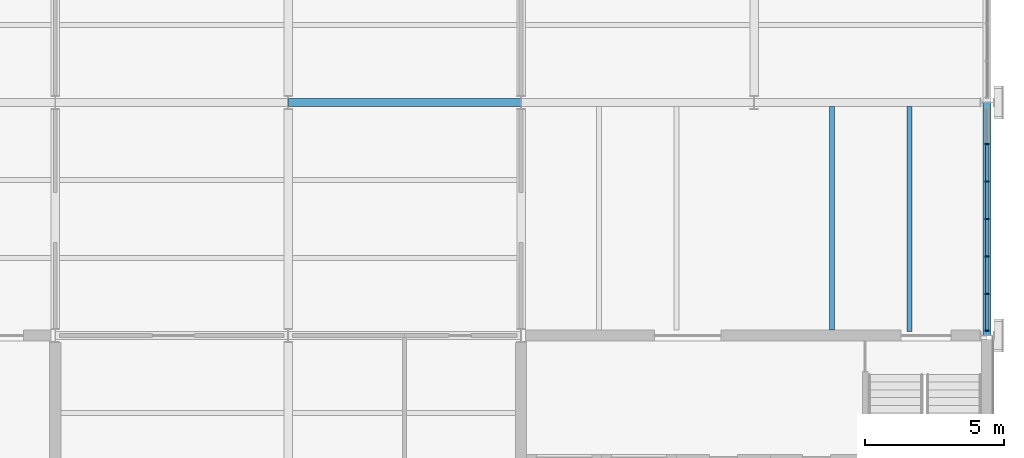
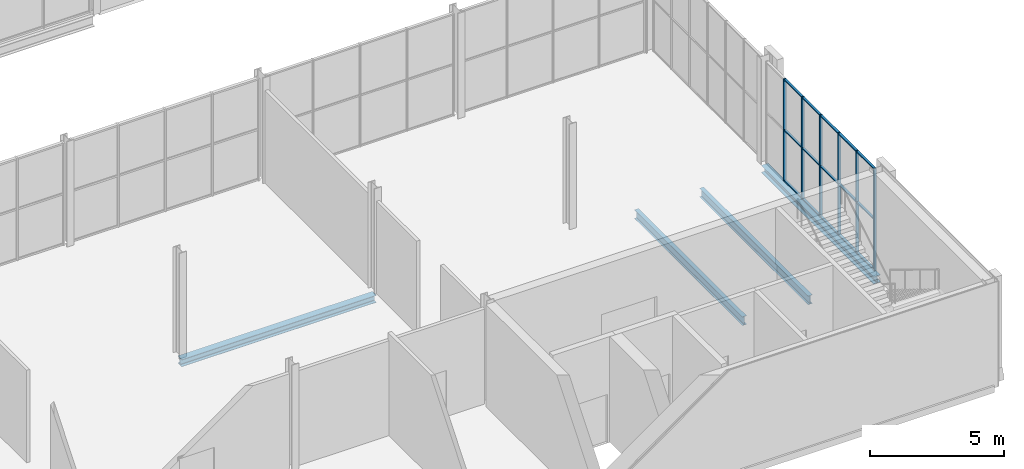
# One storey, part 22 of 61: 21 members, 4 beams, 1 element without a shape of its own.
"""IFC4 building model written with IfcOpenShell, lengths in metres."""

from ifc_helpers import new_model, si_unit, direction, frame, origin, origin_2d, place, context, subcontext, project, spatial, rectangle, i_section, extrude, material, layer, layer_set, material_profile, profile_set, type_object, element, aggregate, save


model = new_model("IFC4")

# Units and contexts
model_context = context("Model", 3, precision=1e-05, world=origin(), true_north=direction((0.0, 1.0)))
body_context = subcontext(model_context, "Body", "Model", "MODEL_VIEW")
ifc_project = project(units=[si_unit("LENGTHUNIT", "METRE"), si_unit("AREAUNIT", "SQUARE_METRE"), si_unit("VOLUMEUNIT", "CUBIC_METRE"), si_unit("PLANEANGLEUNIT", "RADIAN"), si_unit("MASSUNIT", "GRAM", prefix="KILO")], contexts=[model_context])

# Site, building, storey
site_placement = place(None, origin())
site = spatial("IfcSite", under=ifc_project, at=site_placement, CompositionType="ELEMENT")
building_placement = place(site_placement, origin())
building = spatial("IfcBuilding", under=site, at=building_placement, Name="Galleria Vessillo Department Store", CompositionType="ELEMENT")
storey_placement = place(building_placement, frame((0.0, 0.0, 11.39990234375)))
storey = spatial("IfcBuildingStorey", under=building, at=storey_placement, Name="L02", CompositionType="ELEMENT", Elevation=11.39990234375)

# Curtain wall, members
ifc_material_1 = material(Name="Aluminium and glass curtain wall", Category="aluminium")
ifc_layer = layer(ifc_material_1, 0.1201171875)
ifc_layer_set = layer_set([ifc_layer], Name="Aluminium and glass curtain wall")
curtain_wall_type = type_object("IfcCurtainWallType", Name="Shopfront curtain wall CW3 1400 module", PredefinedType="NOTDEFINED", material=ifc_layer_set)
curtain_wall_placement = place(storey_placement, origin())
curtain_wall = element("IfcCurtainWall", 1, at=curtain_wall_placement, inside=storey, type_object=curtain_wall_type, Name="Shopfront curtain wall CW3 1400 module SE-S-L02-01", PredefinedType="NOTDEFINED")
ifc_material_2 = material(Name="Aluminium alloy 6063 T6", Category="aluminium")
ifc_material_profile_1 = material_profile(ifc_material_2, rectangle(XDim=0.1201171875, YDim=0.050048828125, at=origin_2d()), Name="AL 50x120")
ifc_profile_set_1 = profile_set([ifc_material_profile_1], Name="Aluminium alloy 6063 T6")
member_type_1 = type_object("IfcMemberType", Name="Aluminium mullion 50 x 120", PredefinedType="MULLION", material=ifc_profile_set_1)
member_1_placement = place(storey_placement, frame((117.60009765625, 8.57470703125, 0.0), z_axis=(0.0, 0.0, 1.0), x_axis=(-1.0, 0.0, 0.0)))
member_1 = element("IfcMember", 2, at=member_1_placement, type_object=member_type_1, Name="CW3 mullion 1", PredefinedType="MULLION", context=body_context, shape_type="SweptSolid", body=[
    extrude(rectangle(XDim=0.1201171875, YDim=0.050048828125, at=origin_2d()), origin(), (0.0, 0.0, 1.0), 4.650146484375),
])
member_2_placement = place(storey_placement, frame((117.60009765625, 9.89990234375, 0.0), z_axis=(0.0, 0.0, 1.0), x_axis=(-1.0, 0.0, 0.0)))
member_2 = element("IfcMember", 3, at=member_2_placement, type_object=member_type_1, Name="CW3 mullion 2", PredefinedType="MULLION", context=body_context, shape_type="SweptSolid", body=[
    extrude(rectangle(XDim=0.1201171875, YDim=0.050048828125, at=origin_2d()), origin(), (0.0, 0.0, 1.0), 4.650146484375),
])
member_3_placement = place(storey_placement, frame((117.60009765625, 11.25, 0.0), z_axis=(0.0, 0.0, 1.0), x_axis=(-1.0, 0.0, 0.0)))
member_3 = element("IfcMember", 4, at=member_3_placement, type_object=member_type_1, Name="CW3 mullion 3", PredefinedType="MULLION", context=body_context, shape_type="SweptSolid", body=[
    extrude(rectangle(XDim=0.1201171875, YDim=0.050048828125, at=origin_2d()), origin(), (0.0, 0.0, 1.0), 4.650146484375),
])
member_4_placement = place(storey_placement, frame((117.60009765625, 12.60009765625, 0.0), z_axis=(0.0, 0.0, 1.0), x_axis=(-1.0, 0.0, 0.0)))
member_4 = element("IfcMember", 5, at=member_4_placement, type_object=member_type_1, Name="CW3 mullion 4", PredefinedType="MULLION", context=body_context, shape_type="SweptSolid", body=[
    extrude(rectangle(XDim=0.1201171875, YDim=0.050048828125, at=origin_2d()), origin(), (0.0, 0.0, 1.0), 4.650146484375),
])
member_5_placement = place(storey_placement, frame((117.60009765625, 13.949951171875, 0.0), z_axis=(0.0, 0.0, 1.0), x_axis=(-1.0, 0.0, 0.0)))
member_5 = element("IfcMember", 6, at=member_5_placement, type_object=member_type_1, Name="CW3 mullion 5", PredefinedType="MULLION", context=body_context, shape_type="SweptSolid", body=[
    extrude(rectangle(XDim=0.1201171875, YDim=0.050048828125, at=origin_2d()), origin(), (0.0, 0.0, 1.0), 4.650146484375),
])
member_6_placement = place(storey_placement, frame((117.60009765625, 15.300048828125, 0.0), z_axis=(0.0, 0.0, 1.0), x_axis=(-1.0, 0.0, 0.0)))
member_6 = element("IfcMember", 7, at=member_6_placement, type_object=member_type_1, Name="CW3 mullion 6", PredefinedType="MULLION", context=body_context, shape_type="SweptSolid", body=[
    extrude(rectangle(XDim=0.1201171875, YDim=0.050048828125, at=origin_2d()), origin(), (0.0, 0.0, 1.0), 4.650146484375),
])
ifc_material_3 = material(Name="Aluminium alloy 6063 T6", Category="aluminium")
ifc_material_profile_2 = material_profile(ifc_material_3, rectangle(XDim=0.10009765625, YDim=0.050048828125, at=origin_2d()), Name="AL 50x100")
ifc_profile_set_2 = profile_set([ifc_material_profile_2], Name="Aluminium alloy 6063 T6")
member_type_2 = type_object("IfcMemberType", Name="Aluminium transom 50 x 100", PredefinedType="USERDEFINED", material=ifc_profile_set_2)
member_7_placement = place(storey_placement, frame((117.60009765625, 8.599853515625, 0.02490234375), z_axis=(0.0, 1.0, 0.0), x_axis=(-1.0, 0.0, 0.0)))
member_7 = element("IfcMember", 8, at=member_7_placement, type_object=member_type_2, Name="CW3 transom 1.1", ObjectType="TRANSOM", PredefinedType="USERDEFINED", context=body_context, shape_type="SweptSolid", body=[
    extrude(rectangle(XDim=0.10009765625, YDim=0.050048828125, at=origin_2d()), origin(), (0.0, 0.0, 1.0), 1.27490234375),
])
member_8_placement = place(storey_placement, frame((117.60009765625, 8.599853515625, 2.3251953125), z_axis=(0.0, 1.0, 0.0), x_axis=(-1.0, 0.0, 0.0)))
member_8 = element("IfcMember", 9, at=member_8_placement, type_object=member_type_2, Name="CW3 transom 1.2", ObjectType="TRANSOM", PredefinedType="USERDEFINED", context=body_context, shape_type="SweptSolid", body=[
    extrude(rectangle(XDim=0.10009765625, YDim=0.050048828125, at=origin_2d()), origin(), (0.0, 0.0, 1.0), 1.27490234375),
])
member_9_placement = place(storey_placement, frame((117.60009765625, 8.599853515625, 4.625244140625), z_axis=(0.0, 1.0, 0.0), x_axis=(-1.0, 0.0, 0.0)))
member_9 = element("IfcMember", 10, at=member_9_placement, type_object=member_type_2, Name="CW3 transom 1.3", ObjectType="TRANSOM", PredefinedType="USERDEFINED", context=body_context, shape_type="SweptSolid", body=[
    extrude(rectangle(XDim=0.10009765625, YDim=0.050048828125, at=origin_2d()), origin(), (0.0, 0.0, 1.0), 1.27490234375),
])
member_10_placement = place(storey_placement, frame((117.60009765625, 9.9248046875, 0.02490234375), z_axis=(0.0, 1.0, 0.0), x_axis=(-1.0, 0.0, 0.0)))
member_10 = element("IfcMember", 11, at=member_10_placement, type_object=member_type_2, Name="CW3 transom 2.1", ObjectType="TRANSOM", PredefinedType="USERDEFINED", context=body_context, shape_type="SweptSolid", body=[
    extrude(rectangle(XDim=0.10009765625, YDim=0.050048828125, at=origin_2d()), origin(), (0.0, 0.0, 1.0), 1.300048828125),
])
member_11_placement = place(storey_placement, frame((117.60009765625, 9.9248046875, 2.3251953125), z_axis=(0.0, 1.0, 0.0), x_axis=(-1.0, 0.0, 0.0)))
member_11 = element("IfcMember", 12, at=member_11_placement, type_object=member_type_2, Name="CW3 transom 2.2", ObjectType="TRANSOM", PredefinedType="USERDEFINED", context=body_context, shape_type="SweptSolid", body=[
    extrude(rectangle(XDim=0.10009765625, YDim=0.050048828125, at=origin_2d()), origin(), (0.0, 0.0, 1.0), 1.300048828125),
])
member_12_placement = place(storey_placement, frame((117.60009765625, 9.9248046875, 4.625244140625), z_axis=(0.0, 1.0, 0.0), x_axis=(-1.0, 0.0, 0.0)))
member_12 = element("IfcMember", 13, at=member_12_placement, type_object=member_type_2, Name="CW3 transom 2.3", ObjectType="TRANSOM", PredefinedType="USERDEFINED", context=body_context, shape_type="SweptSolid", body=[
    extrude(rectangle(XDim=0.10009765625, YDim=0.050048828125, at=origin_2d()), origin(), (0.0, 0.0, 1.0), 1.300048828125),
])
member_13_placement = place(storey_placement, frame((117.60009765625, 11.27490234375, 0.02490234375), z_axis=(0.0, 1.0, 0.0), x_axis=(-1.0, 0.0, 0.0)))
member_13 = element("IfcMember", 14, at=member_13_placement, type_object=member_type_2, Name="CW3 transom 3.1", ObjectType="TRANSOM", PredefinedType="USERDEFINED", context=body_context, shape_type="SweptSolid", body=[
    extrude(rectangle(XDim=0.10009765625, YDim=0.050048828125, at=origin_2d()), origin(), (0.0, 0.0, 1.0), 1.300048828125),
])
member_14_placement = place(storey_placement, frame((117.60009765625, 11.27490234375, 2.3251953125), z_axis=(0.0, 1.0, 0.0), x_axis=(-1.0, 0.0, 0.0)))
member_14 = element("IfcMember", 15, at=member_14_placement, type_object=member_type_2, Name="CW3 transom 3.2", ObjectType="TRANSOM", PredefinedType="USERDEFINED", context=body_context, shape_type="SweptSolid", body=[
    extrude(rectangle(XDim=0.10009765625, YDim=0.050048828125, at=origin_2d()), origin(), (0.0, 0.0, 1.0), 1.300048828125),
])
member_15_placement = place(storey_placement, frame((117.60009765625, 11.27490234375, 4.625244140625), z_axis=(0.0, 1.0, 0.0), x_axis=(-1.0, 0.0, 0.0)))
member_15 = element("IfcMember", 16, at=member_15_placement, type_object=member_type_2, Name="CW3 transom 3.3", ObjectType="TRANSOM", PredefinedType="USERDEFINED", context=body_context, shape_type="SweptSolid", body=[
    extrude(rectangle(XDim=0.10009765625, YDim=0.050048828125, at=origin_2d()), origin(), (0.0, 0.0, 1.0), 1.300048828125),
])
member_16_placement = place(storey_placement, frame((117.60009765625, 12.625, 0.02490234375), z_axis=(0.0, 1.0, 0.0), x_axis=(-1.0, 0.0, 0.0)))
member_16 = element("IfcMember", 17, at=member_16_placement, type_object=member_type_2, Name="CW3 transom 4.1", ObjectType="TRANSOM", PredefinedType="USERDEFINED", context=body_context, shape_type="SweptSolid", body=[
    extrude(rectangle(XDim=0.10009765625, YDim=0.050048828125, at=origin_2d()), origin(), (0.0, 0.0, 1.0), 1.300048828125),
])
member_17_placement = place(storey_placement, frame((117.60009765625, 12.625, 2.3251953125), z_axis=(0.0, 1.0, 0.0), x_axis=(-1.0, 0.0, 0.0)))
member_17 = element("IfcMember", 18, at=member_17_placement, type_object=member_type_2, Name="CW3 transom 4.2", ObjectType="TRANSOM", PredefinedType="USERDEFINED", context=body_context, shape_type="SweptSolid", body=[
    extrude(rectangle(XDim=0.10009765625, YDim=0.050048828125, at=origin_2d()), origin(), (0.0, 0.0, 1.0), 1.300048828125),
])
member_18_placement = place(storey_placement, frame((117.60009765625, 12.625, 4.625244140625), z_axis=(0.0, 1.0, 0.0), x_axis=(-1.0, 0.0, 0.0)))
member_18 = element("IfcMember", 19, at=member_18_placement, type_object=member_type_2, Name="CW3 transom 4.3", ObjectType="TRANSOM", PredefinedType="USERDEFINED", context=body_context, shape_type="SweptSolid", body=[
    extrude(rectangle(XDim=0.10009765625, YDim=0.050048828125, at=origin_2d()), origin(), (0.0, 0.0, 1.0), 1.300048828125),
])
member_19_placement = place(storey_placement, frame((117.60009765625, 13.97509765625, 0.02490234375), z_axis=(0.0, 1.0, 0.0), x_axis=(-1.0, 0.0, 0.0)))
member_19 = element("IfcMember", 20, at=member_19_placement, type_object=member_type_2, Name="CW3 transom 5.1", ObjectType="TRANSOM", PredefinedType="USERDEFINED", context=body_context, shape_type="SweptSolid", body=[
    extrude(rectangle(XDim=0.10009765625, YDim=0.050048828125, at=origin_2d()), origin(), (0.0, 0.0, 1.0), 1.300048828125),
])
member_20_placement = place(storey_placement, frame((117.60009765625, 13.97509765625, 2.3251953125), z_axis=(0.0, 1.0, 0.0), x_axis=(-1.0, 0.0, 0.0)))
member_20 = element("IfcMember", 21, at=member_20_placement, type_object=member_type_2, Name="CW3 transom 5.2", ObjectType="TRANSOM", PredefinedType="USERDEFINED", context=body_context, shape_type="SweptSolid", body=[
    extrude(rectangle(XDim=0.10009765625, YDim=0.050048828125, at=origin_2d()), origin(), (0.0, 0.0, 1.0), 1.300048828125),
])
member_21_placement = place(storey_placement, frame((117.60009765625, 13.97509765625, 4.625244140625), z_axis=(0.0, 1.0, 0.0), x_axis=(-1.0, 0.0, 0.0)))
member_21 = element("IfcMember", 22, at=member_21_placement, type_object=member_type_2, Name="CW3 transom 5.3", ObjectType="TRANSOM", PredefinedType="USERDEFINED", context=body_context, shape_type="SweptSolid", body=[
    extrude(rectangle(XDim=0.10009765625, YDim=0.050048828125, at=origin_2d()), origin(), (0.0, 0.0, 1.0), 1.300048828125),
])
aggregate(curtain_wall, [member_1, member_2, member_3, member_4, member_5, member_6, member_7, member_8, member_9, member_10, member_11, member_12, member_13, member_14, member_15, member_16, member_17, member_18, member_19, member_20, member_21])

# Beams
ifc_material_4 = material(Name="Steel S355 J2", Category="steel")
ifc_material_profile_3 = material_profile(ifc_material_4, i_section(OverallWidth=0.179931640625, OverallDepth=0.39990234375, WebThickness=0.008544921875, FlangeThickness=0.013427734375, FilletRadius=0.02099609375, at=origin_2d()), Name="IPE 400")
ifc_profile_set_3 = profile_set([ifc_material_profile_3], Name="Steel S355 J2")
beam_type_1 = type_object("IfcBeamType", Name="Floor joist IPE 400", PredefinedType="JOIST", material=ifc_profile_set_3)
beam_1_placement = place(storey_placement, frame((112.0, 8.60009765625, -0.349853515625), z_axis=(0.0, 1.0, 0.0), x_axis=(-1.0, 0.0, 0.0)))
element("IfcBeam", 23, at=beam_1_placement, inside=storey, type_object=beam_type_1, Name="S-BM-L02-JO-y112000-8600", PredefinedType="JOIST", context=body_context, shape_type="SweptSolid", body=[
    extrude(i_section(OverallWidth=0.179931640625, OverallDepth=0.39990234375, WebThickness=0.008544921875, FlangeThickness=0.013427734375, FilletRadius=0.02099609375, at=origin_2d()), origin(), (0.0, 0.0, 1.0), 8.0498046875),
])
beam_2_placement = place(storey_placement, frame((114.800048828125, 8.550048828125, -0.349853515625), z_axis=(0.0, 1.0, 0.0), x_axis=(-1.0, 0.0, 0.0)))
element("IfcBeam", 24, at=beam_2_placement, inside=storey, type_object=beam_type_1, Name="S-BM-L02-JO-y114800-8550", PredefinedType="JOIST", context=body_context, shape_type="SweptSolid", body=[
    extrude(i_section(OverallWidth=0.179931640625, OverallDepth=0.39990234375, WebThickness=0.008544921875, FlangeThickness=0.013427734375, FilletRadius=0.02099609375, at=origin_2d()), origin(), (0.0, 0.0, 1.0), 8.099853515625),
])
ifc_material_5 = material(Name="Steel S355 J2", Category="steel")
ifc_material_profile_4 = material_profile(ifc_material_5, i_section(OverallWidth=0.300048828125, OverallDepth=0.330078125, WebThickness=0.009521484375, FlangeThickness=0.0166015625, FilletRadius=0.027099609375, at=origin_2d()), Name="HEA 340")
ifc_profile_set_4 = profile_set([ifc_material_profile_4], Name="Steel S355 J2")
beam_type_2 = type_object("IfcBeamType", Name="Floor tie girder HEA 340", PredefinedType="BEAM", material=ifc_profile_set_4)
beam_3_placement = place(storey_placement, frame((92.407470703125, 16.800048828125, -0.31494140625), z_axis=(1.0, 0.0, 0.0), x_axis=(0.0, 1.0, 0.0)))
element("IfcBeam", 25, at=beam_3_placement, inside=storey, type_object=beam_type_2, Name="S-BM-L02-TI-x16800-92407", PredefinedType="BEAM", context=body_context, shape_type="SweptSolid", body=[
    extrude(i_section(OverallWidth=0.300048828125, OverallDepth=0.330078125, WebThickness=0.009521484375, FlangeThickness=0.0166015625, FilletRadius=0.027099609375, at=origin_2d()), origin(), (0.0, 0.0, 1.0), 8.38525390625),
])
ifc_material_6 = material(Name="Steel S355 J2", Category="steel")
ifc_material_profile_5 = material_profile(ifc_material_6, i_section(OverallWidth=0.300048828125, OverallDepth=0.330078125, WebThickness=0.009521484375, FlangeThickness=0.0166015625, FilletRadius=0.027099609375, at=origin_2d()), Name="HEA 340")
ifc_profile_set_5 = profile_set([ifc_material_profile_5], Name="Steel S355 J2")
beam_type_3 = type_object("IfcBeamType", Name="Spandrel beam HEA 340", PredefinedType="SPANDREL", material=ifc_profile_set_5)
beam_4_placement = place(storey_placement, frame((117.60009765625, 8.407470703125, -0.31494140625), z_axis=(0.0, 1.0, 0.0), x_axis=(-1.0, 0.0, 0.0)))
element("IfcBeam", 26, at=beam_4_placement, inside=storey, type_object=beam_type_3, Name="S-BM-L02-SP-y117600-8407", PredefinedType="SPANDREL", context=body_context, shape_type="SweptSolid", body=[
    extrude(i_section(OverallWidth=0.300048828125, OverallDepth=0.330078125, WebThickness=0.009521484375, FlangeThickness=0.0166015625, FilletRadius=0.027099609375, at=origin_2d()), origin(), (0.0, 0.0, 1.0), 8.38525390625),
])

save(model, "model.ifc")
